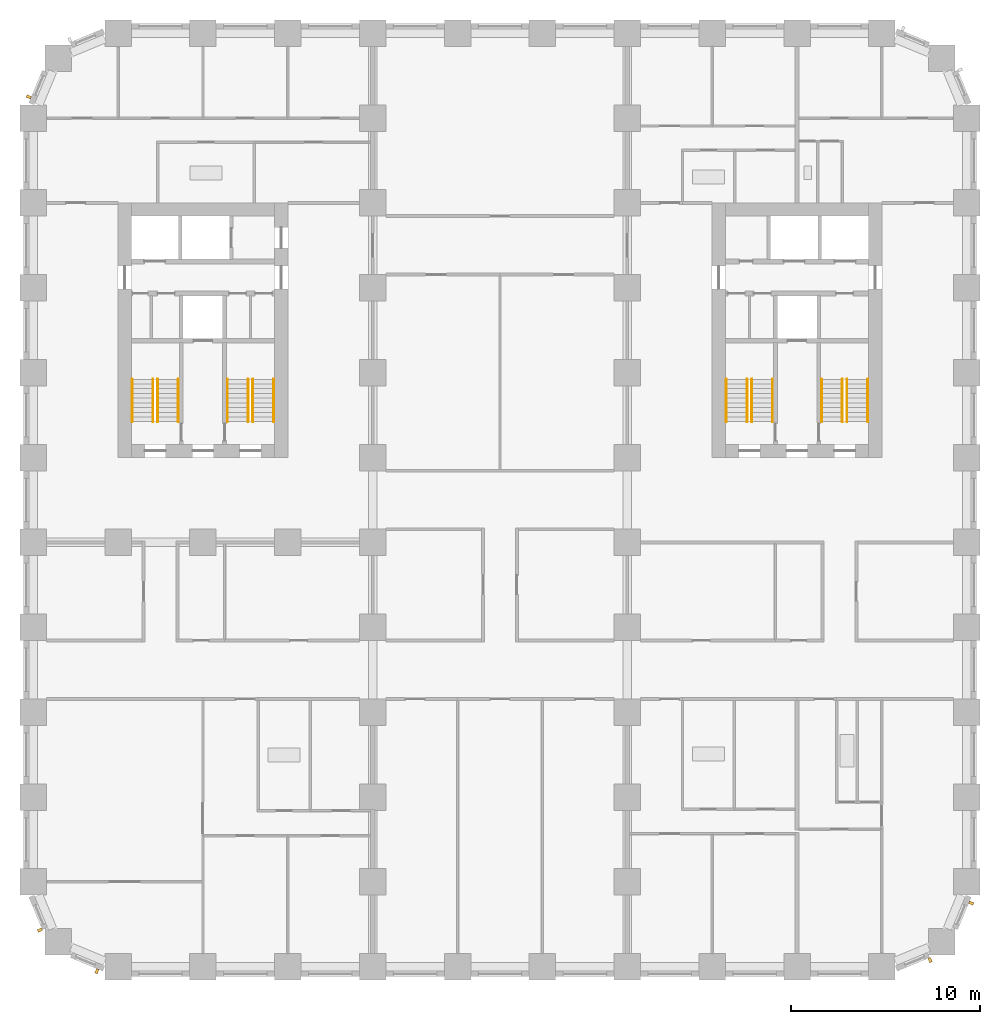
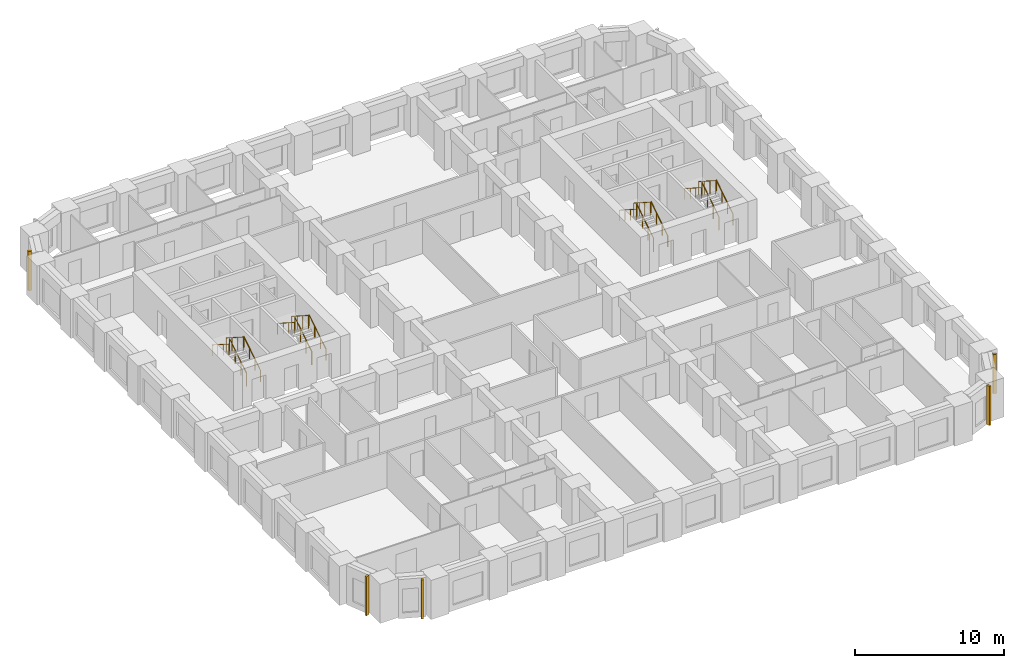
# One storey, part 10 of 12: 16 railings, 5 shading devices.
"""IFC4 building model written with IfcOpenShell, lengths in metres."""

import ifcopenshell
import ifcopenshell.guid

model = None  # the IFC model being written
_history = None  # IfcOwnerHistory: only IFC2X3 demands one
_inside = {}  # id of a spatial element -> (the spatial element, [elements in it])
_under = {}  # id of a project, library or spatial element -> (it, [spatial elements below it])
_declared = {}  # id of a project -> (the project, [libraries it declares])
_typed = {}  # id of a type object -> (the type object, [elements of that type])
_made_of = {}  # id of a material, layer set ... -> (it, [elements and type objects made of it])


def new_model(schema):
    """Start an empty IFC model of exactly this schema.

    Asked for "IFC4X3", IfcOpenShell would pick the latest addendum, in which some entities
    have other attributes; the version numbers below select the first issue.
    IFC2X3 requires an IfcOwnerHistory on every rooted entity: one is made here for all.
    """
    global model, _history
    if schema == "IFC4X3":
        model = ifcopenshell.file(schema_version=(4, 3, 0, 0))
    else:
        model = ifcopenshell.file(schema=schema)
    _inside.clear()
    _under.clear()
    _declared.clear()
    _typed.clear()
    _made_of.clear()
    _history = None
    if model.schema == "IFC2X3":
        org = make("IfcOrganization", Name="unknown")
        user = make(
            "IfcPersonAndOrganization",
            ThePerson=make("IfcPerson", FamilyName="unknown"),
            TheOrganization=org,
        )
        app = make(
            "IfcApplication",
            ApplicationDeveloper=org,
            Version="unknown",
            ApplicationFullName="unknown",
            ApplicationIdentifier="unknown",
        )
        _history = make(
            "IfcOwnerHistory",
            OwningUser=user,
            OwningApplication=app,
            ChangeAction="ADDED",
            CreationDate=0,
        )
    return model


def make(cls, **values):
    """One entity of the class cls with the attributes given. An attribute that is None is left unset."""
    return model.create_entity(
        cls, **{name: value for name, value in values.items() if value is not None}
    )


def rooted(cls, **values):
    """An entity with a GlobalId (a new one), such as an element, a storey or a relation."""
    return make(cls, GlobalId=ifcopenshell.guid.new(), OwnerHistory=_history, **values)


def si_unit(unit_type, name, prefix=None):
    """IfcSIUnit, for example si_unit("LENGTHUNIT", "METRE", prefix="MILLI")."""
    return make("IfcSIUnit", UnitType=unit_type, Prefix=prefix, Name=name)


def assignment(units):
    """IfcUnitAssignment: the units of a project."""
    return None if units is None else make("IfcUnitAssignment", Units=units)


def point(xyz):
    """IfcCartesianPoint."""
    return None if xyz is None else make("IfcCartesianPoint", Coordinates=xyz)


def direction(xyz):
    """IfcDirection."""
    return None if xyz is None else make("IfcDirection", DirectionRatios=xyz)


def frame(location, z_axis=None, x_axis=None):
    """IfcAxis2Placement3D, a coordinate frame: its origin and axes. An axis left out is left unset."""
    return make(
        "IfcAxis2Placement3D",
        Location=point(location),
        Axis=direction(z_axis),
        RefDirection=direction(x_axis),
    )


def frame_2d(location, x_axis=None):
    """IfcAxis2Placement2D, a coordinate frame in the plane: its origin and x axis."""
    return make(
        "IfcAxis2Placement2D", Location=point(location), RefDirection=direction(x_axis)
    )


def origin():
    """The frame at (0, 0, 0) with its axes left unset."""
    return frame((0.0, 0.0, 0.0))


def origin_2d():
    """The frame at (0, 0) in the plane with its x axis left unset."""
    return frame_2d((0.0, 0.0))


def place(relative_to, where):
    """IfcLocalPlacement: puts the frame where relative to a parent placement (None: the world)."""
    return make(
        "IfcLocalPlacement", PlacementRelTo=relative_to, RelativePlacement=where
    )


def context(
    kind, dimensions, precision=None, world=None, true_north=None, identifier=None
):
    """IfcGeometricRepresentationContext, for example the 3D "Model" context."""
    return make(
        "IfcGeometricRepresentationContext",
        ContextIdentifier=identifier,
        ContextType=kind,
        CoordinateSpaceDimension=dimensions,
        Precision=precision,
        WorldCoordinateSystem=world,
        TrueNorth=true_north,
    )


def subcontext(parent, identifier, kind, view, scale=None):
    """IfcGeometricRepresentationSubContext, for example "Body" below "Model"."""
    return make(
        "IfcGeometricRepresentationSubContext",
        ContextIdentifier=identifier,
        ContextType=kind,
        ParentContext=parent,
        TargetScale=scale,
        TargetView=view,
    )


def project(units=None, contexts=None):
    """IfcProject with its units and contexts."""
    return rooted(
        "IfcProject",
        Name="project",
        RepresentationContexts=contexts,
        UnitsInContext=assignment(units),
    )


def spatial(cls, under=None, at=None, **own):
    """A site, building, storey or space (cls), placed at a placement, below another one or the project."""
    s = rooted(cls, ObjectPlacement=at, **own)
    if under is not None:
        _under.setdefault(under.id(), (under, []))[1].append(s)
    return s


def profile(cls, at=None, kind="AREA", **sizes):
    """A parametric profile (cls). Its sizes go by their IFC names, for example OverallWidth=200.0."""
    return make(cls, ProfileType=kind, Position=at, **sizes)


def rectangle(**sizes):
    """IfcRectangleProfileDef."""
    return profile("IfcRectangleProfileDef", **sizes)


def circle(**sizes):
    """IfcCircleProfileDef."""
    return profile("IfcCircleProfileDef", **sizes)


def extrude(swept, where, along, depth):
    """IfcExtrudedAreaSolid: the profile swept, set in the frame where, extruded along a direction by depth."""
    return make(
        "IfcExtrudedAreaSolid",
        SweptArea=swept,
        Position=where,
        ExtrudedDirection=direction(along),
        Depth=depth,
    )


def shape(context_of_items, identifier, shape_type, items):
    """IfcShapeRepresentation: the items that make up one representation, for example the "Body"."""
    return make(
        "IfcShapeRepresentation",
        ContextOfItems=context_of_items,
        RepresentationIdentifier=identifier,
        RepresentationType=shape_type,
        Items=items,
    )


def material(Name=None, Category=None):
    """IfcMaterial."""
    return make("IfcMaterial", Name=Name, Category=Category)


def made_of(thing, what):
    """Note that an element or type object is made of a material, layer set ...; save() writes the relation."""
    if what is not None:
        _made_of.setdefault(what.id(), (what, []))[1].append(thing)
    return thing


def type_object(cls, material=None, **own):
    """A type object (cls), such as IfcWallType, which elements share."""
    return made_of(rooted(cls, **own), material)


def element(
    cls,
    number,
    at=None,
    inside=None,
    cuts=None,
    type_object=None,
    material=None,
    context=None,
    identifier="Body",
    shape_type=None,
    held_by="IfcProductDefinitionShape",
    body=None,
    shapes=None,
    **own,
):
    """One element of the class cls, such as IfcWall. Its Tag is "e" and its number.

    at: its placement. inside: the storey or other place that contains it. cuts: it is an
    opening in that element (IfcRelVoidsElement). A single representation is given by context,
    identifier, shape_type and body (its items); several are given by shapes. held_by: the class
    of the entity that holds the representations. save() writes the other relations.
    """
    e = rooted(cls, Tag="e%d" % number, ObjectPlacement=at, **own)
    if body is not None:
        shapes = [shape(context, identifier, shape_type, body)]
    if shapes is not None:
        e.Representation = make(held_by, Representations=shapes)
    if inside is not None:
        _inside.setdefault(inside.id(), (inside, []))[1].append(e)
    if cuts is not None:
        rooted(
            "IfcRelVoidsElement", RelatingBuildingElement=cuts, RelatedOpeningElement=e
        )
    if type_object is not None:
        _typed.setdefault(type_object.id(), (type_object, []))[1].append(e)
    return made_of(e, material)


def aggregate(whole, parts):
    """IfcRelAggregates: a whole, such as a stair, and the parts it consists of."""
    return rooted("IfcRelAggregates", RelatingObject=whole, RelatedObjects=parts)


def save(model, path):
    """Write the relations noted so far, then the file.

    IfcRelAggregates (storeys below a building ...), IfcRelContainedInSpatialStructure (elements
    in a storey), IfcRelDefinesByType, IfcRelAssociatesMaterial and IfcRelDeclares: one each for
    every whole, place, type object, material and project.
    """
    for whole, parts in _under.values():
        aggregate(whole, parts)
    for where, things in _inside.values():
        rooted(
            "IfcRelContainedInSpatialStructure",
            RelatedElements=things,
            RelatingStructure=where,
        )
    for kind, things in _typed.values():
        rooted("IfcRelDefinesByType", RelatedObjects=things, RelatingType=kind)
    for what, things in _made_of.values():
        rooted("IfcRelAssociatesMaterial", RelatedObjects=things, RelatingMaterial=what)
    for by, libraries in _declared.values():
        rooted("IfcRelDeclares", RelatingContext=by, RelatedDefinitions=libraries)
    model.write(path)


model = new_model("IFC4")

# Units and contexts
model_context = context("Model", 3, precision=1e-05, world=origin(), true_north=direction((0.0, 1.0)))
body_context = subcontext(model_context, "Body", "Model", "MODEL_VIEW")
ifc_project = project(units=[si_unit("LENGTHUNIT", "METRE"), si_unit("AREAUNIT", "SQUARE_METRE"), si_unit("VOLUMEUNIT", "CUBIC_METRE"), si_unit("PLANEANGLEUNIT", "RADIAN"), si_unit("MASSUNIT", "GRAM", prefix="KILO")], contexts=[model_context])

# Site, building, storey
site_placement = place(None, origin())
site = spatial("IfcSite", under=ifc_project, at=site_placement, CompositionType="ELEMENT")
building_placement = place(site_placement, origin())
building = spatial("IfcBuilding", under=site, at=building_placement, Name="Girih Gate Residences", CompositionType="ELEMENT")
storey_placement = place(building_placement, frame((0.0, 0.0, 36.800048828125)))
storey = spatial("IfcBuildingStorey", under=building, at=storey_placement, Name="L08", CompositionType="ELEMENT", Elevation=36.800048828125)

# Shading devices
ifc_material_1 = material(Name="Precast concrete C50/60", Category="concrete")
shading_device_type = type_object("IfcShadingDeviceType", Name="Corner rib 150x250", PredefinedType="USERDEFINED", material=ifc_material_1)
for number, where, z_axis, x_axis, name in (
    (1, (0.35498046875, 1.9443359375, 0.0), (0.0, 0.0, 1.0), (0.382683432365, -0.923879532511, 0.0), "Corner rib SW0000_0045.0"),
    (2, (3.376220703125, -0.238037109375, 0.0), (0.0, 0.0, 1.0), (0.923879532511, -0.382683432365, 0.0), "Corner rib SW0013_0013.0"),
    (3, (47.5556640625, 0.35498046875, 0.0), (0.0, 0.0, 1.0), (0.923879532511, 0.382683432365, 0.0), "Corner rib SE0450_0000.0"),
    (4, (49.738037109375, 3.376220703125, 0.0), (0.0, 0.0, 1.0), (0.382683432365, 0.923879532511, 0.0), "Corner rib SE0482_0013.0"),
    (5, (-0.238037109375, 46.123779296875, 0.0), (0.0, 0.0, 1.0), (-0.382683432365, -0.923879532511, 0.0), "Corner rib NW0013_0482.0"),
):
    element("IfcShadingDevice", number, at=place(storey_placement, frame(where, z_axis=z_axis, x_axis=x_axis)), inside=storey, type_object=shading_device_type, Name=name, ObjectType="FIN", PredefinedType="USERDEFINED", context=body_context, shape_type="SweptSolid", body=[
        extrude(rectangle(XDim=0.14990234375, YDim=0.25, at=origin_2d()), origin(), (0.0, 0.0, 1.0), 3.199951171875),
    ])

# Railings
ifc_material_2 = material(Name="Stainless steel", Category="steel")
railing_type_1 = type_object("IfcRailingType", Name="Stair guard 1100", PredefinedType="GUARDRAIL", material=ifc_material_2)
railing_1_placement = place(storey_placement, frame((6.60009765625, 28.89990234375, 0.159912109375)))
element("IfcRailing", 6, at=railing_1_placement, inside=storey, type_object=railing_type_1, Name="L08 ST-W1 stair guard 1", PredefinedType="GUARDRAIL", context=body_context, shape_type="SweptSolid", body=[
    extrude(circle(Radius=0.02392578125, at=origin_2d()), frame((0.0, 0.0, 1.076171875), z_axis=(0.0, 0.842281359387, 0.539038135598), x_axis=(-1.0, 0.0, 0.0)), (0.0, 0.0, 1.0), 2.67138671875),
    extrude(circle(Radius=0.02099609375, at=origin_2d()), origin(), (0.0, 0.0, 1.0), 1.052001953125),
    extrude(circle(Radius=0.02099609375, at=origin_2d()), frame((0.0, 0.75, 0.47998046875)), (0.0, 0.0, 1.0), 1.052001953125),
    extrude(circle(Radius=0.02099609375, at=origin_2d()), frame((0.0, 1.5, 0.9599609375)), (0.0, 0.0, 1.0), 1.052001953125),
    extrude(circle(Radius=0.02099609375, at=origin_2d()), frame((0.0, 2.25, 1.43994140625)), (0.0, 0.0, 1.0), 1.052001953125),
])
railing_2_placement = place(storey_placement, frame((6.35009765625, 31.14990234375, 1.760009765625)))
element("IfcRailing", 7, at=railing_2_placement, inside=storey, type_object=railing_type_1, Name="L08 ST-W1 stair guard 2", PredefinedType="GUARDRAIL", context=body_context, shape_type="SweptSolid", body=[
    extrude(circle(Radius=0.02392578125, at=origin_2d()), frame((0.0, 0.0, 1.076171875), z_axis=(0.0, -0.842281359387, 0.539038135598), x_axis=(1.0, 0.0, 0.0)), (0.0, 0.0, 1.0), 2.67138671875),
    extrude(circle(Radius=0.02099609375, at=origin_2d()), origin(), (0.0, 0.0, 1.0), 1.052001953125),
    extrude(circle(Radius=0.02099609375, at=origin_2d()), frame((0.0, -0.75, 0.47998046875)), (0.0, 0.0, 1.0), 1.052001953125),
    extrude(circle(Radius=0.02099609375, at=origin_2d()), frame((0.0, -1.5, 0.9599609375)), (0.0, 0.0, 1.0), 1.052001953125),
    extrude(circle(Radius=0.02099609375, at=origin_2d()), frame((0.0, -2.25, 1.43994140625)), (0.0, 0.0, 1.0), 1.052001953125),
])
railing_3_placement = place(storey_placement, frame((11.64990234375, 28.89990234375, 0.159912109375)))
element("IfcRailing", 8, at=railing_3_placement, inside=storey, type_object=railing_type_1, Name="L08 ST-W2 stair guard 1", PredefinedType="GUARDRAIL", context=body_context, shape_type="SweptSolid", body=[
    extrude(circle(Radius=0.02392578125, at=origin_2d()), frame((0.0, 0.0, 1.076171875), z_axis=(0.0, 0.842281359387, 0.539038135598), x_axis=(-1.0, 0.0, 0.0)), (0.0, 0.0, 1.0), 2.67138671875),
    extrude(circle(Radius=0.02099609375, at=origin_2d()), origin(), (0.0, 0.0, 1.0), 1.052001953125),
    extrude(circle(Radius=0.02099609375, at=origin_2d()), frame((0.0, 0.75, 0.47998046875)), (0.0, 0.0, 1.0), 1.052001953125),
    extrude(circle(Radius=0.02099609375, at=origin_2d()), frame((0.0, 1.5, 0.9599609375)), (0.0, 0.0, 1.0), 1.052001953125),
    extrude(circle(Radius=0.02099609375, at=origin_2d()), frame((0.0, 2.25, 1.43994140625)), (0.0, 0.0, 1.0), 1.052001953125),
])
railing_4_placement = place(storey_placement, frame((11.39990234375, 31.14990234375, 1.760009765625)))
element("IfcRailing", 9, at=railing_4_placement, inside=storey, type_object=railing_type_1, Name="L08 ST-W2 stair guard 2", PredefinedType="GUARDRAIL", context=body_context, shape_type="SweptSolid", body=[
    extrude(circle(Radius=0.02392578125, at=origin_2d()), frame((0.0, 0.0, 1.076171875), z_axis=(0.0, -0.842281359387, 0.539038135598), x_axis=(1.0, 0.0, 0.0)), (0.0, 0.0, 1.0), 2.67138671875),
    extrude(circle(Radius=0.02099609375, at=origin_2d()), origin(), (0.0, 0.0, 1.0), 1.052001953125),
    extrude(circle(Radius=0.02099609375, at=origin_2d()), frame((0.0, -0.75, 0.47998046875)), (0.0, 0.0, 1.0), 1.052001953125),
    extrude(circle(Radius=0.02099609375, at=origin_2d()), frame((0.0, -1.5, 0.9599609375)), (0.0, 0.0, 1.0), 1.052001953125),
    extrude(circle(Radius=0.02099609375, at=origin_2d()), frame((0.0, -2.25, 1.43994140625)), (0.0, 0.0, 1.0), 1.052001953125),
])
railing_5_placement = place(storey_placement, frame((43.14990234375, 28.89990234375, 0.159912109375)))
element("IfcRailing", 10, at=railing_5_placement, inside=storey, type_object=railing_type_1, Name="L08 ST-E1 stair guard 1", PredefinedType="GUARDRAIL", context=body_context, shape_type="SweptSolid", body=[
    extrude(circle(Radius=0.02392578125, at=origin_2d()), frame((0.0, 0.0, 1.076171875), z_axis=(0.0, 0.842281359387, 0.539038135598), x_axis=(-1.0, 0.0, 0.0)), (0.0, 0.0, 1.0), 2.67138671875),
    extrude(circle(Radius=0.02099609375, at=origin_2d()), origin(), (0.0, 0.0, 1.0), 1.052001953125),
    extrude(circle(Radius=0.02099609375, at=origin_2d()), frame((0.0, 0.75, 0.47998046875)), (0.0, 0.0, 1.0), 1.052001953125),
    extrude(circle(Radius=0.02099609375, at=origin_2d()), frame((0.0, 1.5, 0.9599609375)), (0.0, 0.0, 1.0), 1.052001953125),
    extrude(circle(Radius=0.02099609375, at=origin_2d()), frame((0.0, 2.25, 1.43994140625)), (0.0, 0.0, 1.0), 1.052001953125),
])
railing_6_placement = place(storey_placement, frame((42.89990234375, 31.14990234375, 1.760009765625)))
element("IfcRailing", 11, at=railing_6_placement, inside=storey, type_object=railing_type_1, Name="L08 ST-E1 stair guard 2", PredefinedType="GUARDRAIL", context=body_context, shape_type="SweptSolid", body=[
    extrude(circle(Radius=0.02392578125, at=origin_2d()), frame((0.0, 0.0, 1.076171875), z_axis=(0.0, -0.842281359387, 0.539038135598), x_axis=(1.0, 0.0, 0.0)), (0.0, 0.0, 1.0), 2.67138671875),
    extrude(circle(Radius=0.02099609375, at=origin_2d()), origin(), (0.0, 0.0, 1.0), 1.052001953125),
    extrude(circle(Radius=0.02099609375, at=origin_2d()), frame((0.0, -0.75, 0.47998046875)), (0.0, 0.0, 1.0), 1.052001953125),
    extrude(circle(Radius=0.02099609375, at=origin_2d()), frame((0.0, -1.5, 0.9599609375)), (0.0, 0.0, 1.0), 1.052001953125),
    extrude(circle(Radius=0.02099609375, at=origin_2d()), frame((0.0, -2.25, 1.43994140625)), (0.0, 0.0, 1.0), 1.052001953125),
])
railing_7_placement = place(storey_placement, frame((38.10009765625, 28.89990234375, 0.159912109375)))
element("IfcRailing", 12, at=railing_7_placement, inside=storey, type_object=railing_type_1, Name="L08 ST-E2 stair guard 1", PredefinedType="GUARDRAIL", context=body_context, shape_type="SweptSolid", body=[
    extrude(circle(Radius=0.02392578125, at=origin_2d()), frame((0.0, 0.0, 1.076171875), z_axis=(0.0, 0.842281359387, 0.539038135598), x_axis=(-1.0, 0.0, 0.0)), (0.0, 0.0, 1.0), 2.67138671875),
    extrude(circle(Radius=0.02099609375, at=origin_2d()), origin(), (0.0, 0.0, 1.0), 1.052001953125),
    extrude(circle(Radius=0.02099609375, at=origin_2d()), frame((0.0, 0.75, 0.47998046875)), (0.0, 0.0, 1.0), 1.052001953125),
    extrude(circle(Radius=0.02099609375, at=origin_2d()), frame((0.0, 1.5, 0.9599609375)), (0.0, 0.0, 1.0), 1.052001953125),
    extrude(circle(Radius=0.02099609375, at=origin_2d()), frame((0.0, 2.25, 1.43994140625)), (0.0, 0.0, 1.0), 1.052001953125),
])
railing_8_placement = place(storey_placement, frame((37.85009765625, 31.14990234375, 1.760009765625)))
element("IfcRailing", 13, at=railing_8_placement, inside=storey, type_object=railing_type_1, Name="L08 ST-E2 stair guard 2", PredefinedType="GUARDRAIL", context=body_context, shape_type="SweptSolid", body=[
    extrude(circle(Radius=0.02392578125, at=origin_2d()), frame((0.0, 0.0, 1.076171875), z_axis=(0.0, -0.842281359387, 0.539038135598), x_axis=(1.0, 0.0, 0.0)), (0.0, 0.0, 1.0), 2.67138671875),
    extrude(circle(Radius=0.02099609375, at=origin_2d()), origin(), (0.0, 0.0, 1.0), 1.052001953125),
    extrude(circle(Radius=0.02099609375, at=origin_2d()), frame((0.0, -0.75, 0.47998046875)), (0.0, 0.0, 1.0), 1.052001953125),
    extrude(circle(Radius=0.02099609375, at=origin_2d()), frame((0.0, -1.5, 0.9599609375)), (0.0, 0.0, 1.0), 1.052001953125),
    extrude(circle(Radius=0.02099609375, at=origin_2d()), frame((0.0, -2.25, 1.43994140625)), (0.0, 0.0, 1.0), 1.052001953125),
])
railing_type_2 = type_object("IfcRailingType", Name="Stair handrail 900", PredefinedType="HANDRAIL", material=ifc_material_2)
railing_9_placement = place(storey_placement, frame((7.699951171875, 28.89990234375, 0.159912109375)))
element("IfcRailing", 14, at=railing_9_placement, inside=storey, type_object=railing_type_2, Name="L08 ST-W1 stair handrail 1", PredefinedType="HANDRAIL", context=body_context, shape_type="SweptSolid", body=[
    extrude(circle(Radius=0.02392578125, at=origin_2d()), frame((0.0, 0.0, 0.8857421875), z_axis=(0.0, 0.842281359387, 0.539038135598), x_axis=(-1.0, 0.0, 0.0)), (0.0, 0.0, 1.0), 2.67138671875),
    extrude(circle(Radius=0.02099609375, at=origin_2d()), origin(), (0.0, 0.0, 1.0), 0.86181640625),
    extrude(circle(Radius=0.02099609375, at=origin_2d()), frame((0.0, 0.75, 0.47998046875)), (0.0, 0.0, 1.0), 0.86181640625),
    extrude(circle(Radius=0.02099609375, at=origin_2d()), frame((0.0, 1.5, 0.9599609375)), (0.0, 0.0, 1.0), 0.86181640625),
    extrude(circle(Radius=0.02099609375, at=origin_2d()), frame((0.0, 2.25, 1.43994140625)), (0.0, 0.0, 1.0), 0.86181640625),
])
railing_10_placement = place(storey_placement, frame((5.25, 31.14990234375, 1.760009765625)))
element("IfcRailing", 15, at=railing_10_placement, inside=storey, type_object=railing_type_2, Name="L08 ST-W1 stair handrail 2", PredefinedType="HANDRAIL", context=body_context, shape_type="SweptSolid", body=[
    extrude(circle(Radius=0.02392578125, at=origin_2d()), frame((0.0, 0.0, 0.8857421875), z_axis=(0.0, -0.842281359387, 0.539038135598), x_axis=(1.0, 0.0, 0.0)), (0.0, 0.0, 1.0), 2.67138671875),
    extrude(circle(Radius=0.02099609375, at=origin_2d()), origin(), (0.0, 0.0, 1.0), 0.86181640625),
    extrude(circle(Radius=0.02099609375, at=origin_2d()), frame((0.0, -0.75, 0.47998046875)), (0.0, 0.0, 1.0), 0.86181640625),
    extrude(circle(Radius=0.02099609375, at=origin_2d()), frame((0.0, -1.5, 0.9599609375)), (0.0, 0.0, 1.0), 0.86181640625),
    extrude(circle(Radius=0.02099609375, at=origin_2d()), frame((0.0, -2.25, 1.43994140625)), (0.0, 0.0, 1.0), 0.86181640625),
])
railing_11_placement = place(storey_placement, frame((12.75, 28.89990234375, 0.159912109375)))
element("IfcRailing", 16, at=railing_11_placement, inside=storey, type_object=railing_type_2, Name="L08 ST-W2 stair handrail 1", PredefinedType="HANDRAIL", context=body_context, shape_type="SweptSolid", body=[
    extrude(circle(Radius=0.02392578125, at=origin_2d()), frame((0.0, 0.0, 0.8857421875), z_axis=(0.0, 0.842281359387, 0.539038135598), x_axis=(-1.0, 0.0, 0.0)), (0.0, 0.0, 1.0), 2.67138671875),
    extrude(circle(Radius=0.02099609375, at=origin_2d()), origin(), (0.0, 0.0, 1.0), 0.86181640625),
    extrude(circle(Radius=0.02099609375, at=origin_2d()), frame((0.0, 0.75, 0.47998046875)), (0.0, 0.0, 1.0), 0.86181640625),
    extrude(circle(Radius=0.02099609375, at=origin_2d()), frame((0.0, 1.5, 0.9599609375)), (0.0, 0.0, 1.0), 0.86181640625),
    extrude(circle(Radius=0.02099609375, at=origin_2d()), frame((0.0, 2.25, 1.43994140625)), (0.0, 0.0, 1.0), 0.86181640625),
])
railing_12_placement = place(storey_placement, frame((10.300048828125, 31.14990234375, 1.760009765625)))
element("IfcRailing", 17, at=railing_12_placement, inside=storey, type_object=railing_type_2, Name="L08 ST-W2 stair handrail 2", PredefinedType="HANDRAIL", context=body_context, shape_type="SweptSolid", body=[
    extrude(circle(Radius=0.02392578125, at=origin_2d()), frame((0.0, 0.0, 0.8857421875), z_axis=(0.0, -0.842281359387, 0.539038135598), x_axis=(1.0, 0.0, 0.0)), (0.0, 0.0, 1.0), 2.67138671875),
    extrude(circle(Radius=0.02099609375, at=origin_2d()), origin(), (0.0, 0.0, 1.0), 0.86181640625),
    extrude(circle(Radius=0.02099609375, at=origin_2d()), frame((0.0, -0.75, 0.47998046875)), (0.0, 0.0, 1.0), 0.86181640625),
    extrude(circle(Radius=0.02099609375, at=origin_2d()), frame((0.0, -1.5, 0.9599609375)), (0.0, 0.0, 1.0), 0.86181640625),
    extrude(circle(Radius=0.02099609375, at=origin_2d()), frame((0.0, -2.25, 1.43994140625)), (0.0, 0.0, 1.0), 0.86181640625),
])
railing_13_placement = place(storey_placement, frame((44.25, 28.89990234375, 0.159912109375)))
element("IfcRailing", 18, at=railing_13_placement, inside=storey, type_object=railing_type_2, Name="L08 ST-E1 stair handrail 1", PredefinedType="HANDRAIL", context=body_context, shape_type="SweptSolid", body=[
    extrude(circle(Radius=0.02392578125, at=origin_2d()), frame((0.0, 0.0, 0.8857421875), z_axis=(0.0, 0.842281359387, 0.539038135598), x_axis=(-1.0, 0.0, 0.0)), (0.0, 0.0, 1.0), 2.67138671875),
    extrude(circle(Radius=0.02099609375, at=origin_2d()), origin(), (0.0, 0.0, 1.0), 0.86181640625),
    extrude(circle(Radius=0.02099609375, at=origin_2d()), frame((0.0, 0.75, 0.47998046875)), (0.0, 0.0, 1.0), 0.86181640625),
    extrude(circle(Radius=0.02099609375, at=origin_2d()), frame((0.0, 1.5, 0.9599609375)), (0.0, 0.0, 1.0), 0.86181640625),
    extrude(circle(Radius=0.02099609375, at=origin_2d()), frame((0.0, 2.25, 1.43994140625)), (0.0, 0.0, 1.0), 0.86181640625),
])
railing_14_placement = place(storey_placement, frame((41.800048828125, 31.14990234375, 1.760009765625)))
element("IfcRailing", 19, at=railing_14_placement, inside=storey, type_object=railing_type_2, Name="L08 ST-E1 stair handrail 2", PredefinedType="HANDRAIL", context=body_context, shape_type="SweptSolid", body=[
    extrude(circle(Radius=0.02392578125, at=origin_2d()), frame((0.0, 0.0, 0.8857421875), z_axis=(0.0, -0.842281359387, 0.539038135598), x_axis=(1.0, 0.0, 0.0)), (0.0, 0.0, 1.0), 2.67138671875),
    extrude(circle(Radius=0.02099609375, at=origin_2d()), origin(), (0.0, 0.0, 1.0), 0.86181640625),
    extrude(circle(Radius=0.02099609375, at=origin_2d()), frame((0.0, -0.75, 0.47998046875)), (0.0, 0.0, 1.0), 0.86181640625),
    extrude(circle(Radius=0.02099609375, at=origin_2d()), frame((0.0, -1.5, 0.9599609375)), (0.0, 0.0, 1.0), 0.86181640625),
    extrude(circle(Radius=0.02099609375, at=origin_2d()), frame((0.0, -2.25, 1.43994140625)), (0.0, 0.0, 1.0), 0.86181640625),
])
railing_15_placement = place(storey_placement, frame((39.199951171875, 28.89990234375, 0.159912109375)))
element("IfcRailing", 20, at=railing_15_placement, inside=storey, type_object=railing_type_2, Name="L08 ST-E2 stair handrail 1", PredefinedType="HANDRAIL", context=body_context, shape_type="SweptSolid", body=[
    extrude(circle(Radius=0.02392578125, at=origin_2d()), frame((0.0, 0.0, 0.8857421875), z_axis=(0.0, 0.842281359387, 0.539038135598), x_axis=(-1.0, 0.0, 0.0)), (0.0, 0.0, 1.0), 2.67138671875),
    extrude(circle(Radius=0.02099609375, at=origin_2d()), origin(), (0.0, 0.0, 1.0), 0.86181640625),
    extrude(circle(Radius=0.02099609375, at=origin_2d()), frame((0.0, 0.75, 0.47998046875)), (0.0, 0.0, 1.0), 0.86181640625),
    extrude(circle(Radius=0.02099609375, at=origin_2d()), frame((0.0, 1.5, 0.9599609375)), (0.0, 0.0, 1.0), 0.86181640625),
    extrude(circle(Radius=0.02099609375, at=origin_2d()), frame((0.0, 2.25, 1.43994140625)), (0.0, 0.0, 1.0), 0.86181640625),
])
railing_16_placement = place(storey_placement, frame((36.75, 31.14990234375, 1.760009765625)))
element("IfcRailing", 21, at=railing_16_placement, inside=storey, type_object=railing_type_2, Name="L08 ST-E2 stair handrail 2", PredefinedType="HANDRAIL", context=body_context, shape_type="SweptSolid", body=[
    extrude(circle(Radius=0.02392578125, at=origin_2d()), frame((0.0, 0.0, 0.8857421875), z_axis=(0.0, -0.842281359387, 0.539038135598), x_axis=(1.0, 0.0, 0.0)), (0.0, 0.0, 1.0), 2.67138671875),
    extrude(circle(Radius=0.02099609375, at=origin_2d()), origin(), (0.0, 0.0, 1.0), 0.86181640625),
    extrude(circle(Radius=0.02099609375, at=origin_2d()), frame((0.0, -0.75, 0.47998046875)), (0.0, 0.0, 1.0), 0.86181640625),
    extrude(circle(Radius=0.02099609375, at=origin_2d()), frame((0.0, -1.5, 0.9599609375)), (0.0, 0.0, 1.0), 0.86181640625),
    extrude(circle(Radius=0.02099609375, at=origin_2d()), frame((0.0, -2.25, 1.43994140625)), (0.0, 0.0, 1.0), 0.86181640625),
])

save(model, "model.ifc")
